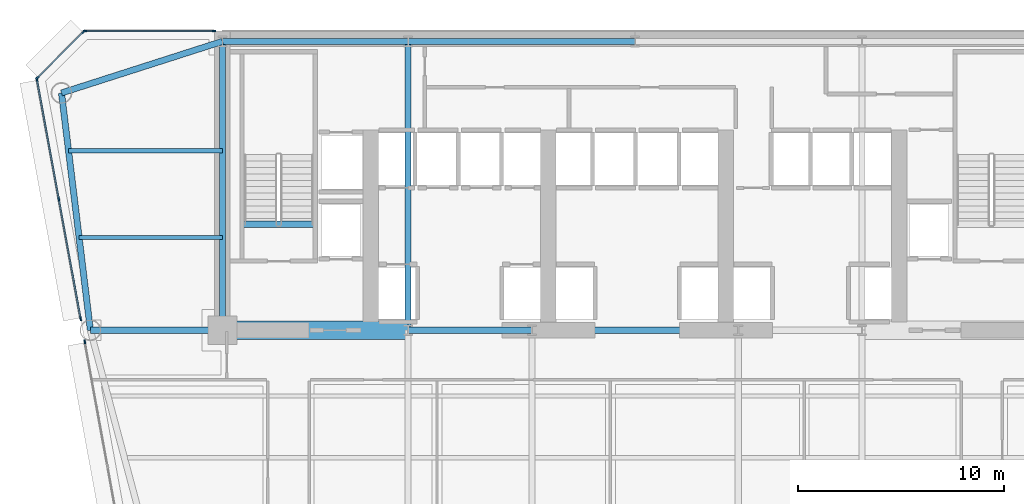
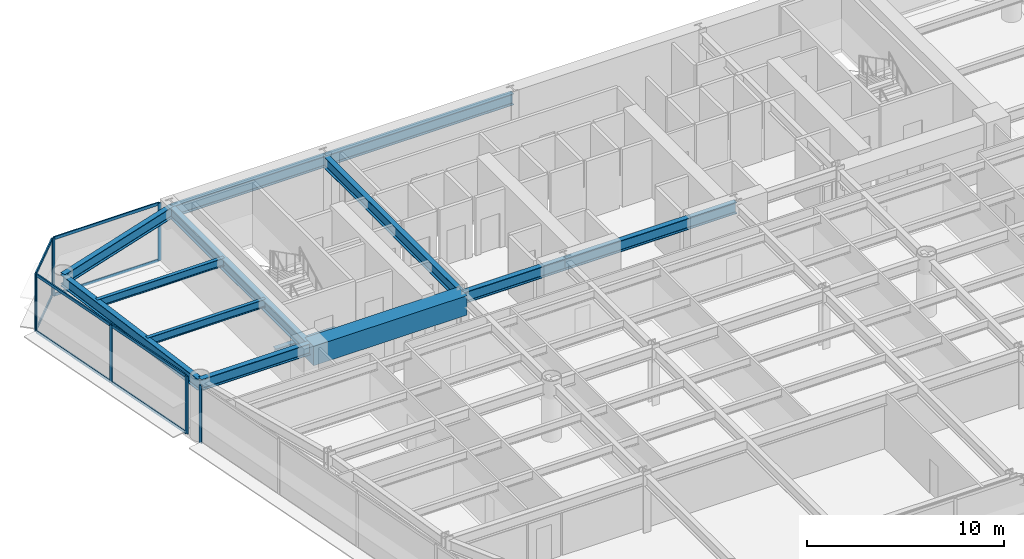
# One storey, part 5 of 14: 16 members, 13 beams, 4 elements without a shape of their own.
"""IFC4 building model written with IfcOpenShell, lengths in metres."""

from ifc_helpers import new_model, si_unit, direction, frame, origin, origin_2d, place, context, subcontext, project, spatial, rectangle, i_section, extrude, source, transform, mapped, material, layer, layer_set, material_profile, profile_set, type_object, element, aggregate, save


model = new_model("IFC4")

# Units and contexts
model_context = context("Model", 3, precision=1e-05, world=origin(), true_north=direction((0.0, 1.0)))
body_context = subcontext(model_context, "Body", "Model", "MODEL_VIEW")
ifc_project = project(units=[si_unit("LENGTHUNIT", "METRE"), si_unit("AREAUNIT", "SQUARE_METRE"), si_unit("VOLUMEUNIT", "CUBIC_METRE"), si_unit("PLANEANGLEUNIT", "RADIAN"), si_unit("MASSUNIT", "GRAM", prefix="KILO")], contexts=[model_context])

# Site, building, storey
site_placement = place(None, origin())
site = spatial("IfcSite", under=ifc_project, at=site_placement, CompositionType="ELEMENT")
building_placement = place(site_placement, origin())
building = spatial("IfcBuilding", under=site, at=building_placement, Name="Vaeldorn Concourse Tower", CompositionType="ELEMENT")
storey_placement = place(building_placement, frame((0.0, 0.0, 92.0)))
storey = spatial("IfcBuildingStorey", under=building, at=storey_placement, Name="L23", CompositionType="ELEMENT", Elevation=92.0)

# Beams
ifc_material_1 = material(Name="Concrete C60/75", Category="concrete")
ifc_material_profile_1 = material_profile(ifc_material_1, rectangle(XDim=0.89990234375, YDim=1.199951171875, at=origin_2d()), Name="RC 900x1200")
ifc_profile_set_1 = profile_set([ifc_material_profile_1], Name="Concrete C60/75")
beam_type_1 = type_object("IfcBeamType", Name="BM-CB-RC900", PredefinedType="BEAM", material=ifc_profile_set_1)
shared_shape_1 = source(origin(), body_context, "Body", "SweptSolid", [
    extrude(rectangle(XDim=0.89990234375, YDim=1.199951171875, at=origin_2d()), origin(), (0.0, 0.0, 1.0), 9.0),
])
beam_1_placement = place(storey_placement, frame((14.0, 36.5, 2.97998046875), z_axis=(1.0, 0.0, 0.0), x_axis=(0.0, 1.0, 0.0)))
element("IfcBeam", 1, at=beam_1_placement, inside=storey, type_object=beam_type_1, Name="Core Coupling Beam L23-1", PredefinedType="BEAM", context=body_context, shape_type="MappedRepresentation", body=[
    mapped(shared_shape_1, transform((0.0, 0.0, 0.0), scale=1.0)),
])
ifc_material_2 = material(Name="Steel S355", Category="steel")
ifc_material_profile_2 = material_profile(ifc_material_2, i_section(OverallWidth=0.300048828125, OverallDepth=0.340087890625, WebThickness=0.011962890625, FlangeThickness=0.021484375, FilletRadius=0.027099609375, at=origin_2d()), Name="HEB 340")
ifc_profile_set_2 = profile_set([ifc_material_profile_2], Name="Steel S355")
beam_type_2 = type_object("IfcBeamType", Name="BM-ST-TRIM", PredefinedType="BEAM", material=ifc_profile_set_2)
shared_shape_2 = source(origin(), body_context, "Body", "SweptSolid", [
    extrude(i_section(OverallWidth=0.300048828125, OverallDepth=0.340087890625, WebThickness=0.011962890625, FlangeThickness=0.021484375, FilletRadius=0.027099609375, at=origin_2d()), origin(), (0.0, 0.0, 1.0), 3.590087890625),
])
beam_2_placement = place(storey_placement, frame((14.929931640625, 41.639892578125, -0.389892578125), z_axis=(1.0, 0.0, 0.0), x_axis=(0.0, 1.0, 0.0)))
element("IfcBeam", 2, at=beam_2_placement, inside=storey, type_object=beam_type_2, Name="Stair Landing Trimmer Beam ST-1 L23", PredefinedType="BEAM", context=body_context, shape_type="MappedRepresentation", body=[
    mapped(shared_shape_2, transform((0.0, 0.0, 0.0), scale=1.0)),
])
ifc_material_profile_3 = material_profile(ifc_material_2, i_section(OverallWidth=0.199951171875, OverallDepth=0.5, WebThickness=0.01025390625, FlangeThickness=0.01611328125, FilletRadius=0.02099609375, at=origin_2d()), Name="IPE 500")
ifc_profile_set_3 = profile_set([ifc_material_profile_3], Name="Steel S355")
beam_type_3 = type_object("IfcBeamType", Name="BM-JS-IPE500", PredefinedType="JOIST", material=ifc_profile_set_3)
shared_shape_3 = source(origin(), body_context, "Body", "SweptSolid", [
    extrude(i_section(OverallWidth=0.199951171875, OverallDepth=0.5, WebThickness=0.01025390625, FlangeThickness=0.01611328125, FilletRadius=0.02099609375, at=origin_2d()), origin(), (0.0, 0.0, 1.0), 6.94775390625),
])
beam_3_placement = place(storey_placement, frame((7.05224609375, 41.0, 3.330078125), z_axis=(1.0, 0.0, 0.0), x_axis=(0.0, 1.0, 0.0)))
element("IfcBeam", 3, at=beam_3_placement, inside=storey, type_object=beam_type_3, Name="Beam JS-L23-NW-410", PredefinedType="JOIST", context=body_context, shape_type="MappedRepresentation", body=[
    mapped(shared_shape_3, transform((0.0, 0.0, 0.0), scale=1.0)),
])
shared_shape_4 = source(origin(), body_context, "Body", "SweptSolid", [
    extrude(i_section(OverallWidth=0.199951171875, OverallDepth=0.5, WebThickness=0.01025390625, FlangeThickness=0.01611328125, FilletRadius=0.02099609375, at=origin_2d()), origin(), (0.0, 0.0, 1.0), 7.458984375),
])
beam_4_placement = place(storey_placement, frame((6.541015625, 45.199951171875, 3.330078125), z_axis=(1.0, 0.0, 0.0), x_axis=(0.0, 1.0, 0.0)))
element("IfcBeam", 4, at=beam_4_placement, inside=storey, type_object=beam_type_3, Name="Beam JS-L23-NW-452", PredefinedType="JOIST", context=body_context, shape_type="MappedRepresentation", body=[
    mapped(shared_shape_4, transform((0.0, 0.0, 0.0), scale=1.0)),
])
ifc_material_profile_4 = material_profile(ifc_material_2, i_section(OverallWidth=0.300048828125, OverallDepth=0.699951171875, WebThickness=0.01708984375, FlangeThickness=0.031982421875, FilletRadius=0.027099609375, at=origin_2d()), Name="HEB 700")
ifc_profile_set_4 = profile_set([ifc_material_profile_4], Name="Steel S355")
beam_type_4 = type_object("IfcBeamType", Name="BM-PG-HEB700", PredefinedType="BEAM", material=ifc_profile_set_4)
shared_shape_5 = source(origin(), body_context, "Body", "SweptSolid", [
    extrude(i_section(OverallWidth=0.300048828125, OverallDepth=0.699951171875, WebThickness=0.01708984375, FlangeThickness=0.031982421875, FilletRadius=0.027099609375, at=origin_2d()), origin(), (0.0, 0.0, 1.0), 6.0),
])
beam_5_placement = place(storey_placement, frame((23.0, 36.5, 3.22998046875), z_axis=(1.0, 0.0, 0.0), x_axis=(0.0, 1.0, 0.0)))
element("IfcBeam", 5, at=beam_5_placement, inside=storey, type_object=beam_type_4, Name="Beam BM-L23-C-FC2-C-FC3", PredefinedType="BEAM", context=body_context, shape_type="MappedRepresentation", body=[
    mapped(shared_shape_5, transform((0.0, 0.0, 0.0), scale=1.0)),
])
shared_shape_6 = source(origin(), body_context, "Body", "SweptSolid", [
    extrude(i_section(OverallWidth=0.300048828125, OverallDepth=0.699951171875, WebThickness=0.01708984375, FlangeThickness=0.031982421875, FilletRadius=0.027099609375, at=origin_2d()), origin(), (0.0, 0.0, 1.0), 10.0),
])
beam_6_placement = place(storey_placement, frame((29.0, 36.5, 3.22998046875), z_axis=(1.0, 0.0, 0.0), x_axis=(0.0, 1.0, 0.0)))
element("IfcBeam", 6, at=beam_6_placement, inside=storey, type_object=beam_type_4, Name="Beam BM-L23-C-FC3-C-FC4", PredefinedType="BEAM", context=body_context, shape_type="MappedRepresentation", body=[
    mapped(shared_shape_6, transform((0.0, 0.0, 0.0), scale=1.0)),
])
shared_shape_7 = source(origin(), body_context, "Body", "SweptSolid", [
    extrude(i_section(OverallWidth=0.300048828125, OverallDepth=0.699951171875, WebThickness=0.01708984375, FlangeThickness=0.031982421875, FilletRadius=0.027099609375, at=origin_2d()), origin(), (0.0, 0.0, 1.0), 9.0),
])
beam_7_placement = place(storey_placement, frame((14.0, 50.5, 3.22998046875), z_axis=(1.0, 0.0, 0.0), x_axis=(0.0, 1.0, 0.0)))
element("IfcBeam", 7, at=beam_7_placement, inside=storey, type_object=beam_type_4, Name="Beam BM-L23-C-HC1-C-HC2", PredefinedType="BEAM", context=body_context, shape_type="MappedRepresentation", body=[
    mapped(shared_shape_7, transform((0.0, 0.0, 0.0), scale=1.0)),
])
shared_shape_8 = source(origin(), body_context, "Body", "SweptSolid", [
    extrude(i_section(OverallWidth=0.300048828125, OverallDepth=0.699951171875, WebThickness=0.01708984375, FlangeThickness=0.031982421875, FilletRadius=0.027099609375, at=origin_2d()), origin(), (0.0, 0.0, 1.0), 11.0),
])
beam_8_placement = place(storey_placement, frame((23.0, 50.5, 3.22998046875), z_axis=(1.0, 0.0, 0.0), x_axis=(0.0, 1.0, 0.0)))
element("IfcBeam", 8, at=beam_8_placement, inside=storey, type_object=beam_type_4, Name="Beam BM-L23-C-HC2-C-HC3", PredefinedType="BEAM", context=body_context, shape_type="MappedRepresentation", body=[
    mapped(shared_shape_8, transform((0.0, 0.0, 0.0), scale=1.0)),
])
shared_shape_9 = source(origin(), body_context, "Body", "SweptSolid", [
    extrude(i_section(OverallWidth=0.300048828125, OverallDepth=0.699951171875, WebThickness=0.01708984375, FlangeThickness=0.031982421875, FilletRadius=0.027099609375, at=origin_2d()), origin(), (0.0, 0.0, 1.0), 14.0),
])
for number, where, z_axis, x_axis, name in (
    (9, (14.0, 36.5, 3.22998046875), (0.0, 1.0, 0.0), (-1.0, 0.0, 0.0), "Beam BM-L23-C-FC1-C-HC1"),
    (10, (23.0, 36.5, 3.22998046875), (0.0, 1.0, 0.0), (-1.0, 0.0, 0.0), "Beam BM-L23-C-FC2-C-HC2"),
):
    element("IfcBeam", number, at=place(storey_placement, frame(where, z_axis=z_axis, x_axis=x_axis)), inside=storey, type_object=beam_type_4, Name=name, PredefinedType="BEAM", context=body_context, shape_type="MappedRepresentation", body=[
        mapped(shared_shape_9, transform((0.0, 0.0, 0.0), scale=1.0)),
    ])
shared_shape_10 = source(origin(), body_context, "Body", "SweptSolid", [
    extrude(i_section(OverallWidth=0.300048828125, OverallDepth=0.699951171875, WebThickness=0.01708984375, FlangeThickness=0.031982421875, FilletRadius=0.027099609375, at=origin_2d()), origin(), (0.0, 0.0, 1.0), 8.19091796875),
])
beam_9_placement = place(storey_placement, frame((6.199951171875, 48.0, 3.22998046875), z_axis=(0.952282843383, 0.305216949396, 0.0), x_axis=(-0.305216949396, 0.952282843383, 0.0)))
element("IfcBeam", 11, at=beam_9_placement, inside=storey, type_object=beam_type_4, Name="Beam BM-L23-C-NW1-C-HC1", PredefinedType="BEAM", context=body_context, shape_type="MappedRepresentation", body=[
    mapped(shared_shape_10, transform((0.0, 0.0, 0.0), scale=1.0)),
])
shared_shape_11 = source(origin(), body_context, "Body", "SweptSolid", [
    extrude(i_section(OverallWidth=0.300048828125, OverallDepth=0.699951171875, WebThickness=0.01708984375, FlangeThickness=0.031982421875, FilletRadius=0.027099609375, at=origin_2d()), origin(), (0.0, 0.0, 1.0), 11.5849609375),
])
beam_10_placement = place(storey_placement, frame((6.199951171875, 48.0, 3.22998046875), z_axis=(0.120859382899, -0.992669637677, 0.0), x_axis=(0.992669637677, 0.120859382899, 0.0)))
element("IfcBeam", 12, at=beam_10_placement, inside=storey, type_object=beam_type_4, Name="Beam BM-L23-C-NW1-C-NW2", PredefinedType="BEAM", context=body_context, shape_type="MappedRepresentation", body=[
    mapped(shared_shape_11, transform((0.0, 0.0, 0.0), scale=1.0)),
])
shared_shape_12 = source(origin(), body_context, "Body", "SweptSolid", [
    extrude(i_section(OverallWidth=0.300048828125, OverallDepth=0.699951171875, WebThickness=0.01708984375, FlangeThickness=0.031982421875, FilletRadius=0.027099609375, at=origin_2d()), origin(), (0.0, 0.0, 1.0), 6.39990234375),
])
beam_11_placement = place(storey_placement, frame((7.60009765625, 36.5, 3.22998046875), z_axis=(1.0, 0.0, 0.0), x_axis=(0.0, 1.0, 0.0)))
element("IfcBeam", 13, at=beam_11_placement, inside=storey, type_object=beam_type_4, Name="Beam BM-L23-C-NW2-C-FC1", PredefinedType="BEAM", context=body_context, shape_type="MappedRepresentation", body=[
    mapped(shared_shape_12, transform((0.0, 0.0, 0.0), scale=1.0)),
])

# Curtain wall, members
ifc_material_3 = material(Name="Anodised Bronze Aluminium", Category="aluminium")
ifc_layer = layer(ifc_material_3, 0.199951171875)
ifc_layer_set = layer_set([ifc_layer], Name="Anodised Bronze Aluminium")
curtain_wall_type = type_object("IfcCurtainWallType", Name="CW-SYS-02", PredefinedType="NOTDEFINED", material=ifc_layer_set)
curtain_wall_1_placement = place(storey_placement, origin())
curtain_wall_1 = element("IfcCurtainWall", 14, at=curtain_wall_1_placement, inside=storey, type_object=curtain_wall_type, Name="Unitised Curtain Wall CW-L23-E10-1", PredefinedType="NOTDEFINED")
ifc_material_profile_5 = material_profile(ifc_material_3, rectangle(XDim=0.074951171875, YDim=0.179931640625, at=origin_2d()), Name="CWT 75x180")
ifc_profile_set_5 = profile_set([ifc_material_profile_5], Name="Anodised Bronze Aluminium")
member_type_1 = type_object("IfcMemberType", Name="CWT-BRONZE-180", PredefinedType="USERDEFINED", material=ifc_profile_set_5)
shared_shape_13 = source(origin(), body_context, "Body", "SweptSolid", [
    extrude(rectangle(XDim=0.074951171875, YDim=0.179931640625, at=origin_2d()), origin(), (0.0, 0.0, 1.0), 3.10302734375),
])
member_1_placement = place(storey_placement, frame((7.2470703125, 50.947021484375, 0.03759765625), z_axis=(-0.707106781187, -0.707106781187, 0.0), x_axis=(0.707106781187, -0.707106781187, 0.0)))
member_1 = element("IfcMember", 15, at=member_1_placement, type_object=member_type_1, Name="CW-02 transom 1.1", ObjectType="TRANSOM", PredefinedType="USERDEFINED", context=body_context, shape_type="MappedRepresentation", body=[
    mapped(shared_shape_13, transform((0.0, 0.0, 0.0), scale=1.0)),
])
member_2_placement = place(storey_placement, frame((7.2470703125, 50.947021484375, 3.54248046875), z_axis=(-0.707106781187, -0.707106781187, 0.0), x_axis=(0.707106781187, -0.707106781187, 0.0)))
member_2 = element("IfcMember", 16, at=member_2_placement, type_object=member_type_1, Name="CW-02 transom 1.2", ObjectType="TRANSOM", PredefinedType="USERDEFINED", context=body_context, shape_type="MappedRepresentation", body=[
    mapped(shared_shape_13, transform((0.0, 0.0, 0.0), scale=1.0)),
])

curtain_wall_2_placement = place(storey_placement, origin())
curtain_wall_2 = element("IfcCurtainWall", 17, at=curtain_wall_2_placement, inside=storey, type_object=curtain_wall_type, Name="Unitised Curtain Wall CW-L23-E09-2", PredefinedType="NOTDEFINED")
ifc_material_profile_6 = material_profile(ifc_material_3, rectangle(XDim=0.074951171875, YDim=0.18994140625, at=origin_2d()), Name="CWM 75x190")
ifc_profile_set_6 = profile_set([ifc_material_profile_6], Name="Anodised Bronze Aluminium")
member_type_2 = type_object("IfcMemberType", Name="CWM-BRONZE-190", PredefinedType="MULLION", material=ifc_profile_set_6)
shared_shape_14 = source(origin(), body_context, "Body", "SweptSolid", [
    extrude(rectangle(XDim=0.074951171875, YDim=0.18994140625, at=origin_2d()), origin(), (0.0, 0.0, 1.0), 3.580078125),
])
member_3_placement = place(storey_placement, frame((13.592529296875, 51.0, 0.0), z_axis=(0.0, 0.0, 1.0), x_axis=(0.0, -1.0, 0.0)))
member_3 = element("IfcMember", 18, at=member_3_placement, type_object=member_type_2, Name="CW-02 mullion 1", PredefinedType="MULLION", context=body_context, shape_type="MappedRepresentation", body=[
    mapped(shared_shape_14, transform((0.0, 0.0, 0.0), scale=1.0)),
])
member_4_placement = place(storey_placement, frame((7.33740234375, 51.0, 0.0), z_axis=(0.0, 0.0, 1.0), x_axis=(0.0, -1.0, 0.0)))
member_4 = element("IfcMember", 19, at=member_4_placement, type_object=member_type_2, Name="CW-02 mullion 2", PredefinedType="MULLION", context=body_context, shape_type="MappedRepresentation", body=[
    mapped(shared_shape_14, transform((0.0, 0.0, 0.0), scale=1.0)),
])

# Member
member_5_placement = place(storey_placement, frame((7.2734375, 50.973388671875, 0.0), z_axis=(0.0, 0.0, 1.0), x_axis=(0.707106781187, -0.707106781187, 0.0)))
member_5 = element("IfcMember", 20, at=member_5_placement, type_object=member_type_2, Name="CW-02 mullion 1", PredefinedType="MULLION", context=body_context, shape_type="MappedRepresentation", body=[
    mapped(shared_shape_14, transform((0.0, 0.0, 0.0), scale=1.0)),
])

member_6_placement = place(storey_placement, frame((5.026611328125, 48.7265625, 0.0), z_axis=(0.0, 0.0, 1.0), x_axis=(0.707106781187, -0.707106781187, 0.0)))
member_6 = element("IfcMember", 21, at=member_6_placement, type_object=member_type_2, Name="CW-02 mullion 2", PredefinedType="MULLION", context=body_context, shape_type="MappedRepresentation", body=[
    mapped(shared_shape_14, transform((0.0, 0.0, 0.0), scale=1.0)),
])

aggregate(curtain_wall_1, [member_5, member_6, member_1, member_2])

# Curtain wall, members
curtain_wall_3_placement = place(storey_placement, origin())
curtain_wall_3 = element("IfcCurtainWall", 22, at=curtain_wall_3_placement, inside=storey, type_object=curtain_wall_type, Name="Unitised Curtain Wall CW-L23-E11-1", PredefinedType="NOTDEFINED")
member_7_placement = place(storey_placement, frame((5.0068359375, 48.6630859375, 0.0), z_axis=(0.0, 0.0, 1.0), x_axis=(0.983728808005, 0.179659768174, 0.0)))
member_7 = element("IfcMember", 23, at=member_7_placement, type_object=member_type_2, Name="CW-02 mullion 1", PredefinedType="MULLION", context=body_context, shape_type="MappedRepresentation", body=[
    mapped(shared_shape_14, transform((0.0, 0.0, 0.0), scale=1.0)),
])
member_8_placement = place(storey_placement, frame((6.066650390625, 42.85888671875, 0.0), z_axis=(0.0, 0.0, 1.0), x_axis=(0.983728808005, 0.179659768174, 0.0)))
member_8 = element("IfcMember", 24, at=member_8_placement, type_object=member_type_2, Name="CW-02 mullion 2", PredefinedType="MULLION", context=body_context, shape_type="MappedRepresentation", body=[
    mapped(shared_shape_14, transform((0.0, 0.0, 0.0), scale=1.0)),
])
member_9_placement = place(storey_placement, frame((7.126708984375, 37.054931640625, 0.0), z_axis=(0.0, 0.0, 1.0), x_axis=(0.983728808005, 0.179659768174, 0.0)))
member_9 = element("IfcMember", 25, at=member_9_placement, type_object=member_type_2, Name="CW-02 mullion 3", PredefinedType="MULLION", context=body_context, shape_type="MappedRepresentation", body=[
    mapped(shared_shape_14, transform((0.0, 0.0, 0.0), scale=1.0)),
])

# Curtain wall, member
curtain_wall_4_placement = place(storey_placement, origin())
curtain_wall_4 = element("IfcCurtainWall", 26, at=curtain_wall_4_placement, inside=storey, type_object=curtain_wall_type, Name="Unitised Curtain Wall CW-L23-E11-2", PredefinedType="NOTDEFINED")
member_10_placement = place(storey_placement, frame((7.329345703125, 35.945068359375, 0.0), z_axis=(0.0, 0.0, 1.0), x_axis=(0.983729411039, 0.179656466224, 0.0)))
member_10 = element("IfcMember", 27, at=member_10_placement, type_object=member_type_2, Name="CW-02 mullion 1", PredefinedType="MULLION", context=body_context, shape_type="MappedRepresentation", body=[
    mapped(shared_shape_14, transform((0.0, 0.0, 0.0), scale=1.0)),
])
aggregate(curtain_wall_4, [member_10])

# Member
shared_shape_15 = source(origin(), body_context, "Body", "SweptSolid", [
    extrude(rectangle(XDim=0.074951171875, YDim=0.179931640625, at=origin_2d()), origin(), (0.0, 0.0, 1.0), 6.179931640625),
])
member_11_placement = place(storey_placement, frame((13.554931640625, 51.0, 0.03759765625), z_axis=(-1.0, 0.0, 0.0), x_axis=(0.0, -1.0, 0.0)))
member_11 = element("IfcMember", 28, at=member_11_placement, type_object=member_type_1, Name="CW-02 transom 1.1", ObjectType="TRANSOM", PredefinedType="USERDEFINED", context=body_context, shape_type="MappedRepresentation", body=[
    mapped(shared_shape_15, transform((0.0, 0.0, 0.0), scale=1.0)),
])

member_12_placement = place(storey_placement, frame((13.554931640625, 51.0, 3.54248046875), z_axis=(-1.0, 0.0, 0.0), x_axis=(0.0, -1.0, 0.0)))
member_12 = element("IfcMember", 29, at=member_12_placement, type_object=member_type_1, Name="CW-02 transom 1.2", ObjectType="TRANSOM", PredefinedType="USERDEFINED", context=body_context, shape_type="MappedRepresentation", body=[
    mapped(shared_shape_15, transform((0.0, 0.0, 0.0), scale=1.0)),
])

aggregate(curtain_wall_2, [member_3, member_4, member_11, member_12])

shared_shape_16 = source(origin(), body_context, "Body", "SweptSolid", [
    extrude(rectangle(XDim=0.074951171875, YDim=0.179931640625, at=origin_2d()), origin(), (0.0, 0.0, 1.0), 5.824951171875),
])
member_13_placement = place(storey_placement, frame((5.013427734375, 48.626220703125, 0.03759765625), z_axis=(0.179678362279, -0.983725411956, 0.0), x_axis=(0.983725411956, 0.179678362279, 0.0)))
member_13 = element("IfcMember", 30, at=member_13_placement, type_object=member_type_1, Name="CW-02 transom 1.1", ObjectType="TRANSOM", PredefinedType="USERDEFINED", context=body_context, shape_type="MappedRepresentation", body=[
    mapped(shared_shape_16, transform((0.0, 0.0, 0.0), scale=1.0)),
])

member_14_placement = place(storey_placement, frame((5.013427734375, 48.626220703125, 3.54248046875), z_axis=(0.179678362279, -0.983725411956, 0.0), x_axis=(0.983725411956, 0.179678362279, 0.0)))
member_14 = element("IfcMember", 31, at=member_14_placement, type_object=member_type_1, Name="CW-02 transom 1.2", ObjectType="TRANSOM", PredefinedType="USERDEFINED", context=body_context, shape_type="MappedRepresentation", body=[
    mapped(shared_shape_16, transform((0.0, 0.0, 0.0), scale=1.0)),
])

member_15_placement = place(storey_placement, frame((6.073486328125, 42.822021484375, 0.03759765625), z_axis=(0.179678362279, -0.983725411956, 0.0), x_axis=(0.983725411956, 0.179678362279, 0.0)))
member_15 = element("IfcMember", 32, at=member_15_placement, type_object=member_type_1, Name="CW-02 transom 2.1", ObjectType="TRANSOM", PredefinedType="USERDEFINED", context=body_context, shape_type="MappedRepresentation", body=[
    mapped(shared_shape_16, transform((0.0, 0.0, 0.0), scale=1.0)),
])

member_16_placement = place(storey_placement, frame((6.073486328125, 42.822021484375, 3.54248046875), z_axis=(0.179678362279, -0.983725411956, 0.0), x_axis=(0.983725411956, 0.179678362279, 0.0)))
member_16 = element("IfcMember", 33, at=member_16_placement, type_object=member_type_1, Name="CW-02 transom 2.2", ObjectType="TRANSOM", PredefinedType="USERDEFINED", context=body_context, shape_type="MappedRepresentation", body=[
    mapped(shared_shape_16, transform((0.0, 0.0, 0.0), scale=1.0)),
])

aggregate(curtain_wall_3, [member_7, member_8, member_9, member_13, member_14, member_15, member_16])

save(model, "model.ifc")
